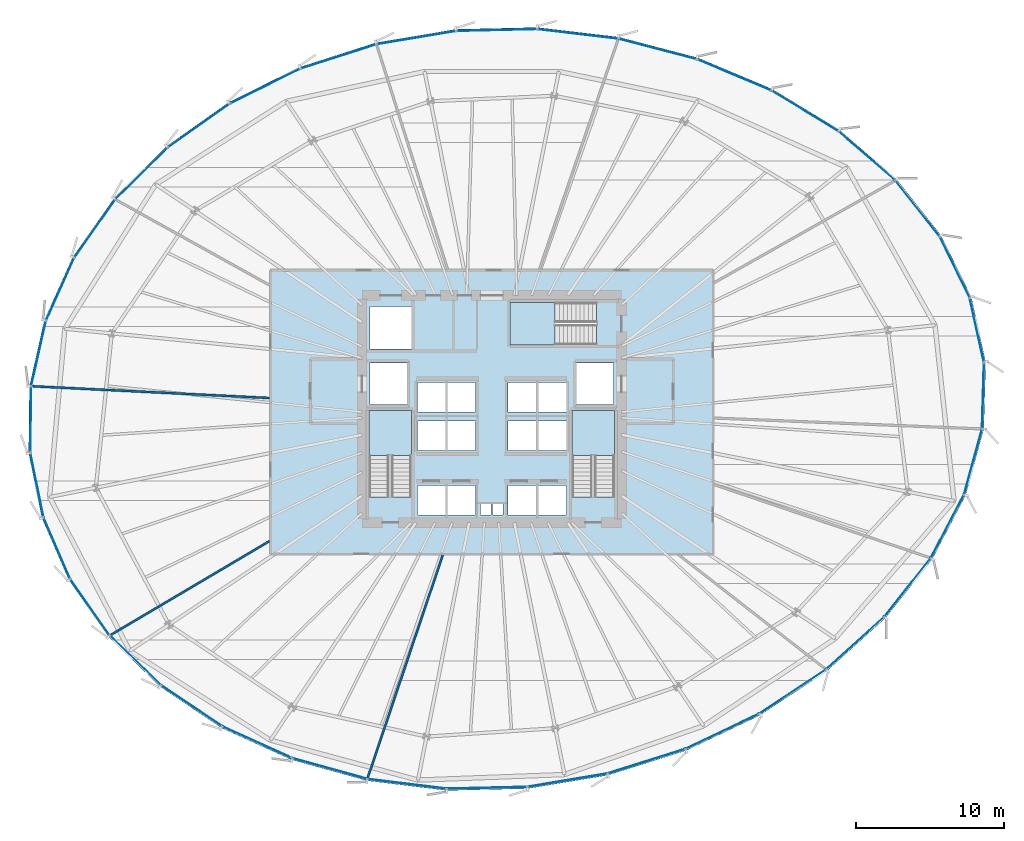
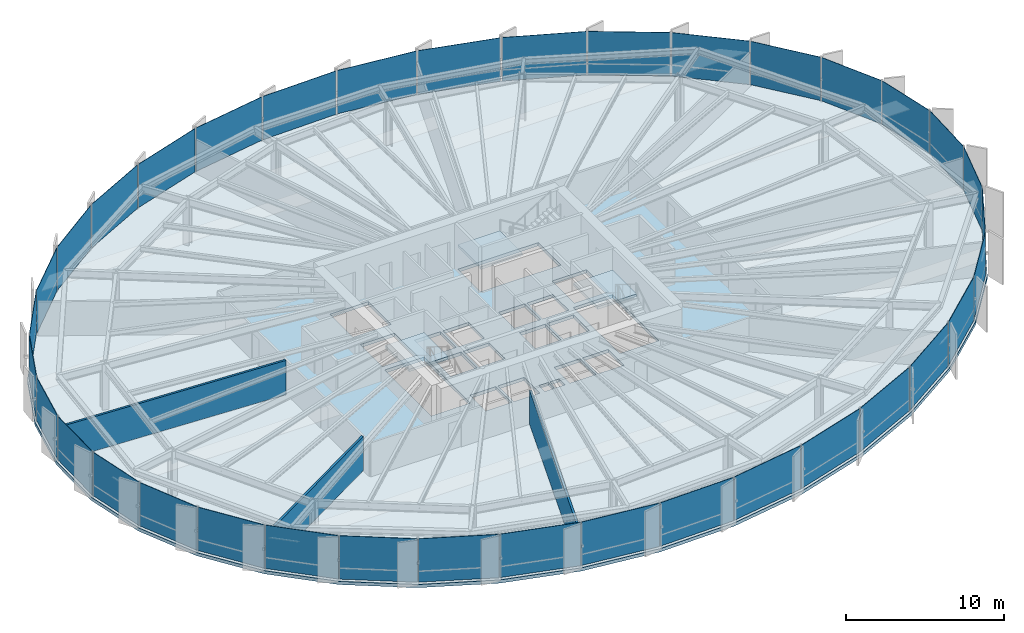
# One storey, part 30 of 38: 36 plates, 4 slabs, 3 walls, 9 elements without a shape of their own.
"""IFC4 building model written with IfcOpenShell, lengths in metres."""

from ifc_helpers import new_model, si_unit, direction, frame, frame_2d, origin, origin_2d, place, context, subcontext, project, spatial, polyline, rectangle, outline, extrude, source, transform, mapped, material, layer, layer_set, type_object, element, aggregate, save


model = new_model("IFC4")

# Units and contexts
model_context = context("Model", 3, precision=1e-05, world=origin(), true_north=direction((0.0, 1.0)))
body_context = subcontext(model_context, "Body", "Model", "MODEL_VIEW")
ifc_project = project(units=[si_unit("LENGTHUNIT", "METRE"), si_unit("AREAUNIT", "SQUARE_METRE"), si_unit("VOLUMEUNIT", "CUBIC_METRE"), si_unit("PLANEANGLEUNIT", "RADIAN"), si_unit("MASSUNIT", "GRAM", prefix="KILO"), si_unit("THERMODYNAMICTEMPERATUREUNIT", "KELVIN")], contexts=[model_context])

# Site, building, storey
site_placement = place(None, origin())
site = spatial("IfcSite", under=ifc_project, at=site_placement, CompositionType="ELEMENT")
building_placement = place(site_placement, origin())
building = spatial("IfcBuilding", under=site, at=building_placement, Name="Kethvar Cultural Tower", CompositionType="ELEMENT")
storey_placement = place(building_placement, frame((0.0, 0.0, 52.39990234375)))
storey = spatial("IfcBuildingStorey", under=building, at=storey_placement, Name="L12", CompositionType="ELEMENT", Elevation=52.39990234375)

# Stair, slab
ifc_material_1 = material(Name="Concrete C40/50", Category="concrete")
stair_type = type_object("IfcStairType", Name="ST-DOGLEG-135", PredefinedType="HALF_TURN_STAIR", material=ifc_material_1)
stair_1_placement = place(storey_placement, origin())
stair_1 = element("IfcStair", 1, at=stair_1_placement, inside=storey, type_object=stair_type, Name="L12 Core Exit Stair 1", PredefinedType="HALF_TURN_STAIR")
ifc_layer_1 = layer(ifc_material_1, 0.199951171875, Name="Concrete C40/50", Category="concrete")
ifc_layer_set_1 = layer_set([ifc_layer_1], Name="Concrete C40/50 (200 mm)")
slab_type_1 = type_object("IfcSlabType", Name="SL-STAIR-LANDING-200", PredefinedType="LANDING", material=ifc_layer_set_1)
slab_1_placement = place(storey_placement, frame((0.0, 0.0, 1.7001953125)))
slab_1 = element("IfcSlab", 2, at=slab_1_placement, type_object=slab_type_1, Name="ST-01 landing 1", PredefinedType="LANDING", context=body_context, shape_type="SweptSolid", body=[
    extrude(outline(polyline([(41.35009765625, 24.64990234375), (41.35009765625, 27.699951171875), (38.489990234375, 27.699951171875), (38.489990234375, 24.64990234375), (41.35009765625, 24.64990234375)])), origin(), (0.0, 0.0, 1.0), 0.199951171875),
])
aggregate(stair_1, [slab_1])

stair_2_placement = place(storey_placement, origin())
stair_2 = element("IfcStair", 3, at=stair_2_placement, inside=storey, type_object=stair_type, Name="L12 Core Exit Stair 2", PredefinedType="HALF_TURN_STAIR")
slab_2_placement = place(storey_placement, frame((0.0, 0.0, 1.7001953125)))
slab_2 = element("IfcSlab", 4, at=slab_2_placement, type_object=slab_type_1, Name="ST-02 landing 1", PredefinedType="LANDING", context=body_context, shape_type="SweptSolid", body=[
    extrude(outline(polyline([(55.110107421875, 24.64990234375), (55.110107421875, 27.699951171875), (52.25, 27.699951171875), (52.25, 24.64990234375), (55.110107421875, 24.64990234375)])), origin(), (0.0, 0.0, 1.0), 0.199951171875),
])
aggregate(stair_2, [slab_2])

stair_3_placement = place(storey_placement, origin())
stair_3 = element("IfcStair", 5, at=stair_3_placement, inside=storey, type_object=stair_type, Name="L12 Core Exit Stair 3", PredefinedType="HALF_TURN_STAIR")
slab_3_placement = place(storey_placement, frame((0.0, 0.0, 1.7001953125)))
slab_3 = element("IfcSlab", 6, at=slab_3_placement, type_object=slab_type_1, Name="ST-03 landing 1", PredefinedType="LANDING", context=body_context, shape_type="SweptSolid", body=[
    extrude(outline(polyline([(51.10009765625, 35.010009765625), (48.050048828125, 35.010009765625), (48.050048828125, 32.14990234375), (51.10009765625, 32.14990234375), (51.10009765625, 35.010009765625)])), origin(), (0.0, 0.0, 1.0), 0.199951171875),
])
aggregate(stair_3, [slab_3])

# Slab
ifc_layer_2 = layer(ifc_material_1, 0.25, Name="Concrete C40/50", Category="concrete")
ifc_layer_set_2 = layer_set([ifc_layer_2], Name="Concrete C40/50 (250 mm)")
slab_type_2 = type_object("IfcSlabType", Name="SL-TOW-250", PredefinedType="FLOOR", material=ifc_layer_set_2)
slab_4_placement = place(storey_placement, frame((0.0, 0.0, -0.25)))
element("IfcSlab", 7, at=slab_4_placement, inside=storey, type_object=slab_type_2, Name="L12 Structural Floor Slab", PredefinedType="FLOOR", context=body_context, shape_type="SweptSolid", body=[
    extrude(outline(polyline([(80.280517578125, 30.96484375), (79.302734375, 35.380859375), (77.25439453125, 39.55859375), (74.227294921875, 43.3740234375), (70.356201171875, 46.715087890625), (65.80615234375, 49.485107421875), (60.758056640625, 51.603759765625), (55.393310546875, 53.00927734375), (49.881591796875, 53.659423828125), (44.367431640625, 53.53271484375), (38.95361328125, 52.62646484375), (33.7783203125, 50.9658203125), (28.99853515625, 48.6015625), (24.759521484375, 45.60498046875), (21.1904296875, 42.067626953125), (18.3994140625, 38.0966796875), (16.47119140625, 33.812744140625), (15.464599609375, 29.34619140625), (15.41015625, 24.832763671875), (16.309326171875, 20.409423828125), (18.135009765625, 16.210693359375), (20.831787109375, 12.364013671875), (24.3173828125, 8.986328125), (28.486328125, 6.180419921875), (33.211669921875, 4.03125), (38.349853515625, 2.6044921875), (43.74462890625, 1.943115234375), (49.232421875, 2.0673828125), (54.672607421875, 2.97607421875), (59.96484375, 4.647705078125), (64.97119140625, 7.033447265625), (69.532958984375, 10.060302734375), (73.4833984375, 13.6337890625), (76.659912109375, 17.641357421875), (78.91845703125, 21.956298828125), (80.147705078125, 26.44384765625), (80.280517578125, 30.96484375)]), holes=[polyline([(38.489990234375, 21.85009765625), (38.489990234375, 27.699951171875), (41.35009765625, 27.699951171875), (41.35009765625, 21.85009765625), (38.489990234375, 21.85009765625)]), polyline([(52.25, 21.85009765625), (52.25, 27.699951171875), (55.110107421875, 27.699951171875), (55.110107421875, 21.85009765625), (52.25, 21.85009765625)]), polyline([(53.89990234375, 32.14990234375), (48.050048828125, 32.14990234375), (48.050048828125, 35.010009765625), (53.89990234375, 35.010009765625), (53.89990234375, 32.14990234375)]), polyline([(41.75, 22.60009765625), (43.64990234375, 22.60009765625), (43.64990234375, 20.60009765625), (41.75, 20.60009765625), (41.75, 22.60009765625)]), polyline([(43.800048828125, 22.60009765625), (45.699951171875, 22.60009765625), (45.699951171875, 20.60009765625), (43.800048828125, 20.60009765625), (43.800048828125, 22.60009765625)]), polyline([(47.89990234375, 22.60009765625), (49.800048828125, 22.60009765625), (49.800048828125, 20.60009765625), (47.89990234375, 20.60009765625), (47.89990234375, 22.60009765625)]), polyline([(49.949951171875, 22.60009765625), (51.85009765625, 22.60009765625), (51.85009765625, 20.60009765625), (49.949951171875, 20.60009765625), (49.949951171875, 22.60009765625)]), polyline([(41.75, 27.0), (43.64990234375, 27.0), (43.64990234375, 25.0), (41.75, 25.0), (41.75, 27.0)]), polyline([(43.800048828125, 27.0), (45.699951171875, 27.0), (45.699951171875, 25.0), (43.800048828125, 25.0), (43.800048828125, 27.0)]), polyline([(47.89990234375, 27.0), (49.800048828125, 27.0), (49.800048828125, 25.0), (47.89990234375, 25.0), (47.89990234375, 27.0)]), polyline([(49.949951171875, 27.0), (51.85009765625, 27.0), (51.85009765625, 25.0), (49.949951171875, 25.0), (49.949951171875, 27.0)]), polyline([(41.75, 29.60009765625), (43.64990234375, 29.60009765625), (43.64990234375, 27.60009765625), (41.75, 27.60009765625), (41.75, 29.60009765625)]), polyline([(43.800048828125, 29.60009765625), (45.699951171875, 29.60009765625), (45.699951171875, 27.60009765625), (43.800048828125, 27.60009765625), (43.800048828125, 29.60009765625)]), polyline([(47.89990234375, 29.60009765625), (49.800048828125, 29.60009765625), (49.800048828125, 27.60009765625), (47.89990234375, 27.60009765625), (47.89990234375, 29.60009765625)]), polyline([(49.949951171875, 29.60009765625), (51.85009765625, 29.60009765625), (51.85009765625, 27.60009765625), (49.949951171875, 27.60009765625), (49.949951171875, 29.60009765625)]), polyline([(38.550048828125, 30.89990234375), (41.050048828125, 30.89990234375), (41.050048828125, 28.10009765625), (38.550048828125, 28.10009765625), (38.550048828125, 30.89990234375)]), polyline([(52.550048828125, 30.89990234375), (55.050048828125, 30.89990234375), (55.050048828125, 28.10009765625), (52.550048828125, 28.10009765625), (52.550048828125, 30.89990234375)]), polyline([(38.550048828125, 34.75), (41.35009765625, 34.75), (41.35009765625, 31.85009765625), (38.550048828125, 31.85009765625), (38.550048828125, 34.75)]), polyline([(46.050048828125, 21.35009765625), (46.75, 21.35009765625), (46.75, 20.60009765625), (46.050048828125, 20.60009765625), (46.050048828125, 21.35009765625)]), polyline([(46.85009765625, 21.35009765625), (47.550048828125, 21.35009765625), (47.550048828125, 20.60009765625), (46.85009765625, 20.60009765625), (46.85009765625, 21.35009765625)])]), origin(), (0.0, 0.0, 1.0), 0.25),
])

# Curtain wall, plate
ifc_material_2 = material(Name="Aluminium 6063-T6", Category="aluminium")
ifc_layer_3 = layer(ifc_material_2, 0.179931640625, Name="Aluminium 6063-T6", Category="aluminium")
ifc_layer_set_3 = layer_set([ifc_layer_3], Name="Aluminium 6063-T6 (180 mm)")
curtain_wall_type = type_object("IfcCurtainWallType", Name="CW-SYS-02-Z1", PredefinedType="NOTDEFINED", material=ifc_layer_set_3)
curtain_wall_1_placement = place(storey_placement, origin())
curtain_wall_1 = element("IfcCurtainWall", 8, at=curtain_wall_1_placement, inside=storey, type_object=curtain_wall_type, Name="L12 Curtain Wall Run 01", PredefinedType="NOTDEFINED")
ifc_material_3 = material(Name="Insulated Low-E Solar Glass", Category="glass")
ifc_layer_4 = layer(ifc_material_3, 0.031982421875, Name="Insulated Low-E Solar Glass", Category="glass")
ifc_layer_set_4 = layer_set([ifc_layer_4], Name="Insulated Low-E Solar Glass (32 mm)")
plate_type = type_object("IfcPlateType", Name="CW-SYS-02-Z1-PNL", PredefinedType="CURTAIN_PANEL", material=ifc_layer_set_4)
shared_shape_1 = source(origin(), body_context, "Body", "SweptSolid", [
    extrude(rectangle(XDim=4.42919921875, YDim=0.031982421875, at=origin_2d()), origin(), (0.0, 0.0, 1.0), 3.35009765625),
])
plate_1_placement = place(storey_placement, frame((79.674560546875, 33.14697265625, 0.10009765625), z_axis=(0.0, 0.0, 1.0), x_axis=(-0.216184012827, 0.976352637421, 0.0)))
plate_1 = element("IfcPlate", 9, at=plate_1_placement, type_object=plate_type, Name="CW-L12-R01 Vision Glazing Panel 1", PredefinedType="CURTAIN_PANEL", context=body_context, shape_type="MappedRepresentation", body=[
    mapped(shared_shape_1, transform((0.0, 0.0, 0.0), scale=1.0)),
])

curtain_wall_2_placement = place(storey_placement, origin())
curtain_wall_2 = element("IfcCurtainWall", 10, at=curtain_wall_2_placement, inside=storey, type_object=curtain_wall_type, Name="L12 Curtain Wall Run 06", PredefinedType="NOTDEFINED")
plate_2_placement = place(storey_placement, frame((80.093994140625, 28.7080078125, 0.10009765625), z_axis=(0.0, 0.0, 1.0), x_axis=(0.029404558912, 0.999567592469, 0.0)))
plate_2 = element("IfcPlate", 11, at=plate_2_placement, type_object=plate_type, Name="CW-L12-R06 Vision Glazing Panel 6", PredefinedType="CURTAIN_PANEL", context=body_context, shape_type="MappedRepresentation", body=[
    mapped(shared_shape_1, transform((0.0, 0.0, 0.0), scale=1.0)),
])

# Plate
shared_shape_2 = source(origin(), body_context, "Body", "SweptSolid", [
    extrude(rectangle(XDim=4.559326171875, YDim=0.031982421875, at=origin_2d()), origin(), (0.0, 0.0, 1.0), 3.35009765625),
])
plate_3_placement = place(storey_placement, frame((78.1708984375, 37.416748046875, 0.10009765625), z_axis=(0.0, 0.0, 1.0), x_axis=(-0.440221271825, 0.897889320481, 0.0)))
plate_3 = element("IfcPlate", 12, at=plate_3_placement, type_object=plate_type, Name="CW-L12-R01 Vision Glazing Panel 2", PredefinedType="CURTAIN_PANEL", context=body_context, shape_type="MappedRepresentation", body=[
    mapped(shared_shape_2, transform((0.0, 0.0, 0.0), scale=1.0)),
])

plate_4_placement = place(storey_placement, frame((79.417236328125, 24.23193359375, 0.10009765625), z_axis=(0.0, 0.0, 1.0), x_axis=(0.264192894804, 0.964469861808, 0.0)))
plate_4 = element("IfcPlate", 13, at=plate_4_placement, type_object=plate_type, Name="CW-L12-R06 Vision Glazing Panel 5", PredefinedType="CURTAIN_PANEL", context=body_context, shape_type="MappedRepresentation", body=[
    mapped(shared_shape_2, transform((0.0, 0.0, 0.0), scale=1.0)),
])

shared_shape_3 = source(origin(), body_context, "Body", "SweptSolid", [
    extrude(rectangle(XDim=4.77685546875, YDim=0.031982421875, at=origin_2d()), origin(), (0.0, 0.0, 1.0), 3.35009765625),
])
plate_5_placement = place(storey_placement, frame((75.64697265625, 41.3916015625, 0.10009765625), z_axis=(0.0, 0.0, 1.0), x_axis=(-0.621517018138, 0.783400661325, 0.0)))
plate_5 = element("IfcPlate", 14, at=plate_5_placement, type_object=plate_type, Name="CW-L12-R01 Vision Glazing Panel 3", PredefinedType="CURTAIN_PANEL", context=body_context, shape_type="MappedRepresentation", body=[
    mapped(shared_shape_3, transform((0.0, 0.0, 0.0), scale=1.0)),
])

plate_6_placement = place(storey_placement, frame((77.682861328125, 19.8544921875, 0.10009765625), z_axis=(0.0, 0.0, 1.0), x_axis=(0.463713597261, 0.885985157728, 0.0)))
plate_6 = element("IfcPlate", 15, at=plate_6_placement, type_object=plate_type, Name="CW-L12-R06 Vision Glazing Panel 4", PredefinedType="CURTAIN_PANEL", context=body_context, shape_type="MappedRepresentation", body=[
    mapped(shared_shape_3, transform((0.0, 0.0, 0.0), scale=1.0)),
])

shared_shape_4 = source(origin(), body_context, "Body", "SweptSolid", [
    extrude(rectangle(XDim=5.02001953125, YDim=0.031982421875, at=origin_2d()), origin(), (0.0, 0.0, 1.0), 3.35009765625),
])
plate_7_placement = place(storey_placement, frame((72.21337890625, 44.95361328125, 0.10009765625), z_axis=(0.0, 0.0, 1.0), x_axis=(-0.757017863872, 0.65339417948, 0.0)))
plate_7 = element("IfcPlate", 16, at=plate_7_placement, type_object=plate_type, Name="CW-L12-R01 Vision Glazing Panel 4", PredefinedType="CURTAIN_PANEL", context=body_context, shape_type="MappedRepresentation", body=[
    mapped(shared_shape_4, transform((0.0, 0.0, 0.0), scale=1.0)),
])

plate_8_placement = place(storey_placement, frame((74.9775390625, 15.712158203125, 0.10009765625), z_axis=(0.0, 0.0, 1.0), x_axis=(0.621175135962, 0.783671774701, 0.0)))
plate_8 = element("IfcPlate", 17, at=plate_8_placement, type_object=plate_type, Name="CW-L12-R06 Vision Glazing Panel 3", PredefinedType="CURTAIN_PANEL", context=body_context, shape_type="MappedRepresentation", body=[
    mapped(shared_shape_4, transform((0.0, 0.0, 0.0), scale=1.0)),
])

shared_shape_5 = source(origin(), body_context, "Body", "SweptSolid", [
    extrude(rectangle(XDim=5.2333984375, YDim=0.031982421875, at=origin_2d()), origin(), (0.0, 0.0, 1.0), 3.35009765625),
])
plate_9_placement = place(storey_placement, frame((68.018798828125, 47.997802734375, 0.10009765625), z_axis=(0.0, 0.0, 1.0), x_axis=(-0.854177618191, 0.519981342533, 0.0)))
plate_9 = element("IfcPlate", 18, at=plate_9_placement, type_object=plate_type, Name="CW-L12-R01 Vision Glazing Panel 5", PredefinedType="CURTAIN_PANEL", context=body_context, shape_type="MappedRepresentation", body=[
    mapped(shared_shape_5, transform((0.0, 0.0, 0.0), scale=1.0)),
])

plate_10_placement = place(storey_placement, frame((71.427734375, 11.93603515625, 0.10009765625), z_axis=(0.0, 0.0, 1.0), x_axis=(0.741601288413, 0.670840911859, 0.0)))
plate_10 = element("IfcPlate", 19, at=plate_10_placement, type_object=plate_type, Name="CW-L12-R06 Vision Glazing Panel 2", PredefinedType="CURTAIN_PANEL", context=body_context, shape_type="MappedRepresentation", body=[
    mapped(shared_shape_5, transform((0.0, 0.0, 0.0), scale=1.0)),
])

shared_shape_6 = source(origin(), body_context, "Body", "SweptSolid", [
    extrude(rectangle(XDim=5.381103515625, YDim=0.031982421875, at=origin_2d()), origin(), (0.0, 0.0, 1.0), 3.35009765625),
])
plate_11_placement = place(storey_placement, frame((63.235595703125, 50.433837890625, 0.10009765625), z_axis=(0.0, 0.0, 1.0), x_axis=(-0.922086191627, 0.386984567147, 0.0)))
plate_11 = element("IfcPlate", 20, at=plate_11_placement, type_object=plate_type, Name="CW-L12-R01 Vision Glazing Panel 6", PredefinedType="CURTAIN_PANEL", context=body_context, shape_type="MappedRepresentation", body=[
    mapped(shared_shape_6, transform((0.0, 0.0, 0.0), scale=1.0)),
])

aggregate(curtain_wall_1, [plate_1, plate_3, plate_5, plate_7, plate_9, plate_11])

# Curtain wall, plate
curtain_wall_3_placement = place(storey_placement, origin())
curtain_wall_3 = element("IfcCurtainWall", 21, at=curtain_wall_3_placement, inside=storey, type_object=curtain_wall_type, Name="L12 Curtain Wall Run 02", PredefinedType="NOTDEFINED")
shared_shape_7 = source(origin(), body_context, "Body", "SweptSolid", [
    extrude(rectangle(XDim=5.4521484375, YDim=0.031982421875, at=origin_2d()), origin(), (0.0, 0.0, 1.0), 3.35009765625),
])
plate_12_placement = place(storey_placement, frame((58.045166015625, 52.1904296875, 0.10009765625), z_axis=(0.0, 0.0, 1.0), x_axis=(-0.967351848912, 0.253437172505, 0.0)))
plate_12 = element("IfcPlate", 22, at=plate_12_placement, type_object=plate_type, Name="CW-L12-R02 Vision Glazing Panel 1", PredefinedType="CURTAIN_PANEL", context=body_context, shape_type="MappedRepresentation", body=[
    mapped(shared_shape_7, transform((0.0, 0.0, 0.0), scale=1.0)),
])

curtain_wall_4_placement = place(storey_placement, origin())
curtain_wall_4 = element("IfcCurtainWall", 23, at=curtain_wall_4_placement, inside=storey, type_object=curtain_wall_type, Name="L12 Curtain Wall Run 05", PredefinedType="NOTDEFINED")
plate_13_placement = place(storey_placement, frame((62.416259765625, 5.948974609375, 0.10009765625), z_axis=(0.0, 0.0, 1.0), x_axis=(0.902727997606, 0.430211764528, 0.0)))
plate_13 = element("IfcPlate", 24, at=plate_13_placement, type_object=plate_type, Name="CW-L12-R05 Vision Glazing Panel 6", PredefinedType="CURTAIN_PANEL", context=body_context, shape_type="MappedRepresentation", body=[
    mapped(shared_shape_7, transform((0.0, 0.0, 0.0), scale=1.0)),
])

# Plate
shared_shape_8 = source(origin(), body_context, "Body", "SweptSolid", [
    extrude(rectangle(XDim=5.456298828125, YDim=0.031982421875, at=origin_2d()), origin(), (0.0, 0.0, 1.0), 3.35009765625),
])
plate_14_placement = place(storey_placement, frame((52.623291015625, 53.215087890625, 0.10009765625), z_axis=(0.0, 0.0, 1.0), x_axis=(-0.993111469958, 0.117173410972, 0.0)))
plate_14 = element("IfcPlate", 25, at=plate_14_placement, type_object=plate_type, Name="CW-L12-R02 Vision Glazing Panel 2", PredefinedType="CURTAIN_PANEL", context=body_context, shape_type="MappedRepresentation", body=[
    mapped(shared_shape_8, transform((0.0, 0.0, 0.0), scale=1.0)),
])

plate_15_placement = place(storey_placement, frame((57.28271484375, 3.92626953125, 0.10009765625), z_axis=(0.0, 0.0, 1.0), x_axis=(0.953564627709, 0.301188480493, 0.0)))
plate_15 = element("IfcPlate", 26, at=plate_15_placement, type_object=plate_type, Name="CW-L12-R05 Vision Glazing Panel 5", PredefinedType="CURTAIN_PANEL", context=body_context, shape_type="MappedRepresentation", body=[
    mapped(shared_shape_8, transform((0.0, 0.0, 0.0), scale=1.0)),
])

shared_shape_9 = source(origin(), body_context, "Body", "SweptSolid", [
    extrude(rectangle(XDim=5.422119140625, YDim=0.031982421875, at=origin_2d()), origin(), (0.0, 0.0, 1.0), 3.35009765625),
])
plate_16_placement = place(storey_placement, frame((47.127197265625, 53.476318359375, 0.10009765625), z_axis=(0.0, 0.0, 1.0), x_axis=(-0.99973583385, -0.022983962173, 0.0)))
plate_16 = element("IfcPlate", 27, at=plate_16_placement, type_object=plate_type, Name="CW-L12-R02 Vision Glazing Panel 3", PredefinedType="CURTAIN_PANEL", context=body_context, shape_type="MappedRepresentation", body=[
    mapped(shared_shape_9, transform((0.0, 0.0, 0.0), scale=1.0)),
])

shared_shape_10 = source(origin(), body_context, "Body", "SweptSolid", [
    extrude(rectangle(XDim=5.3955078125, YDim=0.031982421875, at=origin_2d()), origin(), (0.0, 0.0, 1.0), 3.35009765625),
])
plate_17_placement = place(storey_placement, frame((41.680419921875, 52.961181640625, 0.10009765625), z_axis=(0.0, 0.0, 1.0), x_axis=(-0.986279839688, -0.165082033622, 0.0)))
plate_17 = element("IfcPlate", 28, at=plate_17_placement, type_object=plate_type, Name="CW-L12-R02 Vision Glazing Panel 4", PredefinedType="CURTAIN_PANEL", context=body_context, shape_type="MappedRepresentation", body=[
    mapped(shared_shape_10, transform((0.0, 0.0, 0.0), scale=1.0)),
])

plate_18_placement = place(storey_placement, frame((46.48583984375, 2.125, 0.10009765625), z_axis=(0.0, 0.0, 1.0), x_axis=(0.999743400651, 0.022652435959, 0.0)))
plate_18 = element("IfcPlate", 29, at=plate_18_placement, type_object=plate_type, Name="CW-L12-R05 Vision Glazing Panel 3", PredefinedType="CURTAIN_PANEL", context=body_context, shape_type="MappedRepresentation", body=[
    mapped(shared_shape_10, transform((0.0, 0.0, 0.0), scale=1.0)),
])

shared_shape_11 = source(origin(), body_context, "Body", "SweptSolid", [
    extrude(rectangle(XDim=5.341796875, YDim=0.031982421875, at=origin_2d()), origin(), (0.0, 0.0, 1.0), 3.35009765625),
])
plate_19_placement = place(storey_placement, frame((36.402587890625, 51.681884765625, 0.10009765625), z_axis=(0.0, 0.0, 1.0), x_axis=(-0.952182732136, -0.30552912238, 0.0)))
plate_19 = element("IfcPlate", 30, at=plate_19_placement, type_object=plate_type, Name="CW-L12-R02 Vision Glazing Panel 5", PredefinedType="CURTAIN_PANEL", context=body_context, shape_type="MappedRepresentation", body=[
    mapped(shared_shape_11, transform((0.0, 0.0, 0.0), scale=1.0)),
])

plate_20_placement = place(storey_placement, frame((41.06201171875, 2.392822265625, 0.10009765625), z_axis=(0.0, 0.0, 1.0), x_axis=(0.992569530583, -0.121678785979, 0.0)))
plate_20 = element("IfcPlate", 31, at=plate_20_placement, type_object=plate_type, Name="CW-L12-R05 Vision Glazing Panel 2", PredefinedType="CURTAIN_PANEL", context=body_context, shape_type="MappedRepresentation", body=[
    mapped(shared_shape_11, transform((0.0, 0.0, 0.0), scale=1.0)),
])

shared_shape_12 = source(origin(), body_context, "Body", "SweptSolid", [
    extrude(rectangle(XDim=5.239013671875, YDim=0.031982421875, at=origin_2d()), origin(), (0.0, 0.0, 1.0), 3.35009765625),
])
plate_21_placement = place(storey_placement, frame((31.441650390625, 49.676025390625, 0.10009765625), z_axis=(0.0, 0.0, 1.0), x_axis=(-0.896331714747, -0.443384096623, 0.0)))
plate_21 = element("IfcPlate", 32, at=plate_21_placement, type_object=plate_type, Name="CW-L12-R02 Vision Glazing Panel 6", PredefinedType="CURTAIN_PANEL", context=body_context, shape_type="MappedRepresentation", body=[
    mapped(shared_shape_12, transform((0.0, 0.0, 0.0), scale=1.0)),
])

aggregate(curtain_wall_3, [plate_12, plate_14, plate_16, plate_17, plate_19, plate_21])

plate_22_placement = place(storey_placement, frame((35.812744140625, 3.433349609375, 0.10009765625), z_axis=(0.0, 0.0, 1.0), x_axis=(0.963541780625, -0.267557913338, 0.0)))
plate_22 = element("IfcPlate", 33, at=plate_22_placement, type_object=plate_type, Name="CW-L12-R05 Vision Glazing Panel 1", PredefinedType="CURTAIN_PANEL", context=body_context, shape_type="MappedRepresentation", body=[
    mapped(shared_shape_12, transform((0.0, 0.0, 0.0), scale=1.0)),
])

# Curtain wall, plate
curtain_wall_5_placement = place(storey_placement, origin())
curtain_wall_5 = element("IfcCurtainWall", 34, at=curtain_wall_5_placement, inside=storey, type_object=curtain_wall_type, Name="L12 Curtain Wall Run 03", PredefinedType="NOTDEFINED")
shared_shape_13 = source(origin(), body_context, "Body", "SweptSolid", [
    extrude(rectangle(XDim=5.097412109375, YDim=0.031982421875, at=origin_2d()), origin(), (0.0, 0.0, 1.0), 3.35009765625),
])
plate_23_placement = place(storey_placement, frame((26.9482421875, 47.00537109375, 0.10009765625), z_axis=(0.0, 0.0, 1.0), x_axis=(-0.816581112181, -0.577230705376, 0.0)))
plate_23 = element("IfcPlate", 35, at=plate_23_placement, type_object=plate_type, Name="CW-L12-R03 Vision Glazing Panel 1", PredefinedType="CURTAIN_PANEL", context=body_context, shape_type="MappedRepresentation", body=[
    mapped(shared_shape_13, transform((0.0, 0.0, 0.0), scale=1.0)),
])

curtain_wall_6_placement = place(storey_placement, origin())
curtain_wall_6 = element("IfcCurtainWall", 36, at=curtain_wall_6_placement, inside=storey, type_object=curtain_wall_type, Name="L12 Curtain Wall Run 04", PredefinedType="NOTDEFINED")
plate_24_placement = place(storey_placement, frame((30.898681640625, 5.215087890625, 0.10009765625), z_axis=(0.0, 0.0, 1.0), x_axis=(0.910279464074, -0.413994320354, 0.0)))
plate_24 = element("IfcPlate", 37, at=plate_24_placement, type_object=plate_type, Name="CW-L12-R04 Vision Glazing Panel 6", PredefinedType="CURTAIN_PANEL", context=body_context, shape_type="MappedRepresentation", body=[
    mapped(shared_shape_13, transform((0.0, 0.0, 0.0), scale=1.0)),
])

# Plate
shared_shape_14 = source(origin(), body_context, "Body", "SweptSolid", [
    extrude(rectangle(XDim=4.931640625, YDim=0.031982421875, at=origin_2d()), origin(), (0.0, 0.0, 1.0), 3.35009765625),
])
plate_25_placement = place(storey_placement, frame((23.059326171875, 43.751220703125, 0.10009765625), z_axis=(0.0, 0.0, 1.0), x_axis=(-0.710259095979, -0.703940350157, 0.0)))
plate_25 = element("IfcPlate", 38, at=plate_25_placement, type_object=plate_type, Name="CW-L12-R03 Vision Glazing Panel 2", PredefinedType="CURTAIN_PANEL", context=body_context, shape_type="MappedRepresentation", body=[
    mapped(shared_shape_14, transform((0.0, 0.0, 0.0), scale=1.0)),
])

plate_26_placement = place(storey_placement, frame((26.468994140625, 7.682861328125, 0.10009765625), z_axis=(0.0, 0.0, 1.0), x_axis=(0.829583722896, -0.558382348132, 0.0)))
plate_26 = element("IfcPlate", 39, at=plate_26_placement, type_object=plate_type, Name="CW-L12-R04 Vision Glazing Panel 5", PredefinedType="CURTAIN_PANEL", context=body_context, shape_type="MappedRepresentation", body=[
    mapped(shared_shape_14, transform((0.0, 0.0, 0.0), scale=1.0)),
])

shared_shape_15 = source(origin(), body_context, "Body", "SweptSolid", [
    extrude(rectangle(XDim=4.76025390625, YDim=0.031982421875, at=origin_2d()), origin(), (0.0, 0.0, 1.0), 3.35009765625),
])
plate_27_placement = place(storey_placement, frame((19.89306640625, 40.01318359375, 0.10009765625), z_axis=(0.0, 0.0, 1.0), x_axis=(-0.575033810506, -0.818129645457, 0.0)))
plate_27 = element("IfcPlate", 40, at=plate_27_placement, type_object=plate_type, Name="CW-L12-R03 Vision Glazing Panel 3", PredefinedType="CURTAIN_PANEL", context=body_context, shape_type="MappedRepresentation", body=[
    mapped(shared_shape_15, transform((0.0, 0.0, 0.0), scale=1.0)),
])

plate_28_placement = place(storey_placement, frame((22.658203125, 10.76123046875, 0.10009765625), z_axis=(0.0, 0.0, 1.0), x_axis=(0.718150589265, -0.695887728832, 0.0)))
plate_28 = element("IfcPlate", 41, at=plate_28_placement, type_object=plate_type, Name="CW-L12-R04 Vision Glazing Panel 4", PredefinedType="CURTAIN_PANEL", context=body_context, shape_type="MappedRepresentation", body=[
    mapped(shared_shape_15, transform((0.0, 0.0, 0.0), scale=1.0)),
])

shared_shape_16 = source(origin(), body_context, "Body", "SweptSolid", [
    extrude(rectangle(XDim=4.604248046875, YDim=0.031982421875, at=origin_2d()), origin(), (0.0, 0.0, 1.0), 3.35009765625),
])
plate_29_placement = place(storey_placement, frame((17.544677734375, 35.905517578125, 0.10009765625), z_axis=(0.0, 0.0, 1.0), x_axis=(-0.410432393856, -0.911891029714, 0.0)))
plate_29 = element("IfcPlate", 42, at=plate_29_placement, type_object=plate_type, Name="CW-L12-R03 Vision Glazing Panel 4", PredefinedType="CURTAIN_PANEL", context=body_context, shape_type="MappedRepresentation", body=[
    mapped(shared_shape_16, transform((0.0, 0.0, 0.0), scale=1.0)),
])

plate_30_placement = place(storey_placement, frame((19.581787109375, 14.356201171875, 0.10009765625), z_axis=(0.0, 0.0, 1.0), x_axis=(0.574048138897, -0.818821552128, 0.0)))
plate_30 = element("IfcPlate", 43, at=plate_30_placement, type_object=plate_type, Name="CW-L12-R04 Vision Glazing Panel 3", PredefinedType="CURTAIN_PANEL", context=body_context, shape_type="MappedRepresentation", body=[
    mapped(shared_shape_16, transform((0.0, 0.0, 0.0), scale=1.0)),
])

shared_shape_17 = source(origin(), body_context, "Body", "SweptSolid", [
    extrude(rectangle(XDim=4.48486328125, YDim=0.031982421875, at=origin_2d()), origin(), (0.0, 0.0, 1.0), 3.35009765625),
])
plate_31_placement = place(storey_placement, frame((16.0849609375, 31.55322265625, 0.10009765625), z_axis=(0.0, 0.0, 1.0), x_axis=(-0.219846204353, -0.975534543946, 0.0)))
plate_31 = element("IfcPlate", 44, at=plate_31_placement, type_object=plate_type, Name="CW-L12-R03 Vision Glazing Panel 5", PredefinedType="CURTAIN_PANEL", context=body_context, shape_type="MappedRepresentation", body=[
    mapped(shared_shape_17, transform((0.0, 0.0, 0.0), scale=1.0)),
])

plate_32_placement = place(storey_placement, frame((17.332275390625, 18.35791015625, 0.10009765625), z_axis=(0.0, 0.0, 1.0), x_axis=(0.398749068925, -0.917060074385, 0.0)))
plate_32 = element("IfcPlate", 45, at=plate_32_placement, type_object=plate_type, Name="CW-L12-R04 Vision Glazing Panel 2", PredefinedType="CURTAIN_PANEL", context=body_context, shape_type="MappedRepresentation", body=[
    mapped(shared_shape_17, transform((0.0, 0.0, 0.0), scale=1.0)),
])

shared_shape_18 = source(origin(), body_context, "Body", "SweptSolid", [
    extrude(rectangle(XDim=4.42041015625, YDim=0.031982421875, at=origin_2d()), origin(), (0.0, 0.0, 1.0), 3.35009765625),
])
plate_33_placement = place(storey_placement, frame((15.557373046875, 27.088134765625, 0.10009765625), z_axis=(0.0, 0.0, 1.0), x_axis=(-0.012077384797, -0.999927065729, 0.0)))
plate_33 = element("IfcPlate", 46, at=plate_33_placement, type_object=plate_type, Name="CW-L12-R03 Vision Glazing Panel 6", PredefinedType="CURTAIN_PANEL", context=body_context, shape_type="MappedRepresentation", body=[
    mapped(shared_shape_18, transform((0.0, 0.0, 0.0), scale=1.0)),
])

aggregate(curtain_wall_5, [plate_23, plate_25, plate_27, plate_29, plate_31, plate_33])

shared_shape_19 = source(origin(), body_context, "Body", "SweptSolid", [
    extrude(rectangle(XDim=4.420166015625, YDim=0.031982421875, at=origin_2d()), origin(), (0.0, 0.0, 1.0), 3.35009765625),
])
plate_34_placement = place(storey_placement, frame((15.977294921875, 22.64501953125, 0.10009765625), z_axis=(0.0, 0.0, 1.0), x_axis=(0.199231109174, -0.979952532084, 0.0)))
plate_34 = element("IfcPlate", 47, at=plate_34_placement, type_object=plate_type, Name="CW-L12-R04 Vision Glazing Panel 1", PredefinedType="CURTAIN_PANEL", context=body_context, shape_type="MappedRepresentation", body=[
    mapped(shared_shape_19, transform((0.0, 0.0, 0.0), scale=1.0)),
])

aggregate(curtain_wall_6, [plate_34, plate_32, plate_30, plate_28, plate_26, plate_24])

shared_shape_20 = source(origin(), body_context, "Body", "SweptSolid", [
    extrude(rectangle(XDim=5.421875, YDim=0.031982421875, at=origin_2d()), origin(), (0.0, 0.0, 1.0), 3.35009765625),
])
plate_35_placement = place(storey_placement, frame((51.932861328125, 2.639892578125, 0.10009765625), z_axis=(0.0, 0.0, 1.0), x_axis=(0.986334528733, 0.164754961771, 0.0)))
plate_35 = element("IfcPlate", 48, at=plate_35_placement, type_object=plate_type, Name="CW-L12-R05 Vision Glazing Panel 4", PredefinedType="CURTAIN_PANEL", context=body_context, shape_type="MappedRepresentation", body=[
    mapped(shared_shape_20, transform((0.0, 0.0, 0.0), scale=1.0)),
])

aggregate(curtain_wall_4, [plate_22, plate_20, plate_18, plate_35, plate_15, plate_13])

shared_shape_21 = source(origin(), body_context, "Body", "SweptSolid", [
    extrude(rectangle(XDim=5.38134765625, YDim=0.031982421875, at=origin_2d()), origin(), (0.0, 0.0, 1.0), 3.35009765625),
])
plate_36_placement = place(storey_placement, frame((67.185791015625, 8.64697265625, 0.10009765625), z_axis=(0.0, 0.0, 1.0), x_axis=(0.833249483195, 0.552897186423, 0.0)))
plate_36 = element("IfcPlate", 49, at=plate_36_placement, type_object=plate_type, Name="CW-L12-R06 Vision Glazing Panel 1", PredefinedType="CURTAIN_PANEL", context=body_context, shape_type="MappedRepresentation", body=[
    mapped(shared_shape_21, transform((0.0, 0.0, 0.0), scale=1.0)),
])

aggregate(curtain_wall_2, [plate_36, plate_10, plate_8, plate_6, plate_4, plate_2])

# Walls
ifc_material_4 = material(Name="Gypsum Acoustic Partition")
ifc_layer_5 = layer(ifc_material_4, 0.14990234375, Name="Gypsum Acoustic Partition")
ifc_layer_set_5 = layer_set([ifc_layer_5], Name="Gypsum Acoustic Partition (150 mm)")
wall_type = type_object("IfcWallType", Name="WL-PART-150", PredefinedType="PARTITIONING", material=ifc_layer_set_5)
wall_1_placement = place(storey_placement, frame((31.7412109375, 18.848876953125, 0.0), z_axis=(0.0, 0.0, 1.0), x_axis=(-0.860869986588, -0.508824985817, 0.0)))
element("IfcWall", 50, at=wall_1_placement, inside=storey, type_object=wall_type, Name="L12 Radial Partition Wall 01", PredefinedType="PARTITIONING", context=body_context, shape_type="SweptSolid", body=[
    extrude(rectangle(XDim=12.465576171875, YDim=0.14990234375, at=frame_2d((6.23291015625, 0.0))), origin(), (0.0, 0.0, 1.0), 2.64501953125),
])
wall_2_placement = place(storey_placement, frame((43.48095703125, 17.904296875, 0.0), z_axis=(0.0, 0.0, 1.0), x_axis=(-0.319393235536, -0.947622267095, 0.0)))
element("IfcWall", 51, at=wall_2_placement, inside=storey, type_object=wall_type, Name="L12 Radial Partition Wall 02", PredefinedType="PARTITIONING", context=body_context, shape_type="SweptSolid", body=[
    extrude(rectangle(XDim=15.909912109375, YDim=0.14990234375, at=frame_2d((7.955078125, 0.0))), origin(), (0.0, 0.0, 1.0), 2.64501953125),
])
wall_3_placement = place(storey_placement, frame((31.72998046875, 28.543701171875, 0.0), z_axis=(0.0, 0.0, 1.0), x_axis=(-0.998771265113, 0.049557643048, 0.0)))
element("IfcWall", 52, at=wall_3_placement, inside=storey, type_object=wall_type, Name="L12 Radial Partition Wall 10", PredefinedType="PARTITIONING", context=body_context, shape_type="SweptSolid", body=[
    extrude(rectangle(XDim=16.05517578125, YDim=0.14990234375, at=frame_2d((8.027587890625, 0.0))), origin(), (0.0, 0.0, 1.0), 2.64501953125),
])

save(model, "model.ifc")
